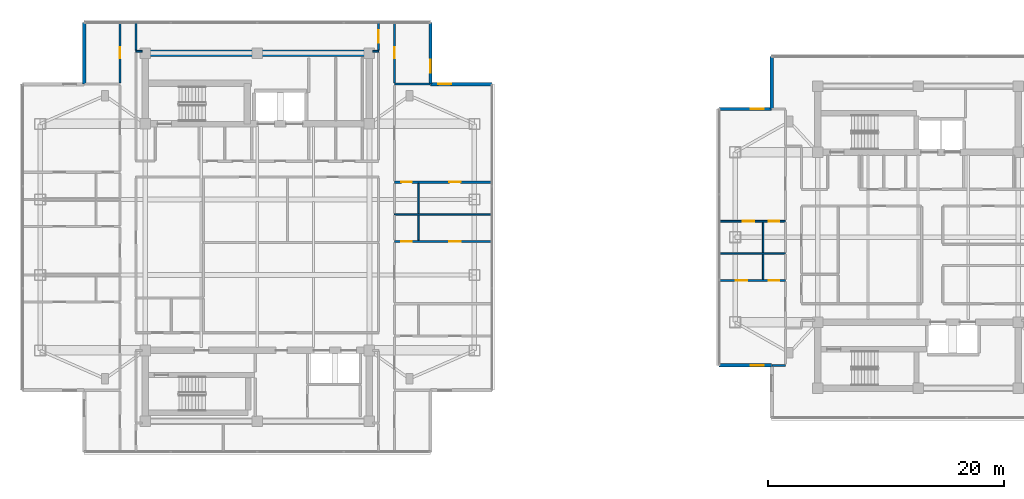
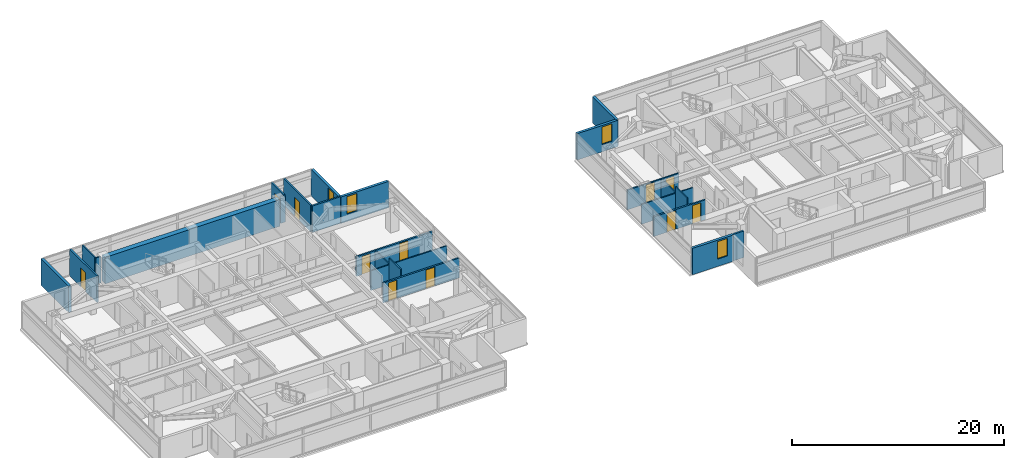
# One storey, part 15 of 24: 25 walls, 11 doors, 4 windows, 15 openings.
"""IFC4 building model written with IfcOpenShell, lengths in metres."""

from ifc_helpers import new_model, si_unit, direction, frame, frame_2d, origin, place, context, subcontext, project, spatial, rectangle, extrude, material, layer, layer_set, type_object, element, fill, save


model = new_model("IFC4")

# Units and contexts
model_context = context("Model", 3, precision=1e-05, world=origin(), true_north=direction((0.0, 1.0)))
body_context = subcontext(model_context, "Body", "Model", "MODEL_VIEW")
ifc_project = project(units=[si_unit("LENGTHUNIT", "METRE"), si_unit("AREAUNIT", "SQUARE_METRE"), si_unit("VOLUMEUNIT", "CUBIC_METRE"), si_unit("PLANEANGLEUNIT", "RADIAN"), si_unit("MASSUNIT", "GRAM", prefix="KILO")], contexts=[model_context])

# Site, building, storey
site_placement = place(None, origin())
site = spatial("IfcSite", under=ifc_project, at=site_placement, CompositionType="ELEMENT")
building_placement = place(site_placement, origin())
building = spatial("IfcBuilding", under=site, at=building_placement, Name="Mirazonda Arch Towers", CompositionType="ELEMENT")
storey_placement = place(building_placement, frame((0.0, 0.0, 190.14990234375)))
storey = spatial("IfcBuildingStorey", under=building, at=storey_placement, Name="L54", CompositionType="ELEMENT", Elevation=190.14990234375)

# Wall
ifc_material_1 = material(Name="Concrete C50/60", Category="concrete")
ifc_layer_1 = layer(ifc_material_1, 0.550048828125, Name="WALL-CORE-550")
ifc_layer_set_1 = layer_set([ifc_layer_1], Name="Concrete C50/60")
wall_type_1 = type_object("IfcWallType", Name="WALL-CORE-550", PredefinedType="SHEAR", material=ifc_layer_set_1)
wall_1_placement = place(storey_placement, frame((11.0, 43.60009765625, 0.0), z_axis=(0.0, 0.0, 1.0), x_axis=(1.0, 0.0, 0.0)))
element("IfcWall", 1, at=wall_1_placement, inside=storey, type_object=wall_type_1, Name="L54 T1N-N Core Shear Wall", PredefinedType="SHEAR", context=body_context, shape_type="SweptSolid", body=[
    extrude(rectangle(XDim=19.0, YDim=0.550048828125, at=frame_2d((9.5, 0.0))), origin(), (0.0, 0.0, 1.0), 3.050048828125),
])

# Wall, opening, window
ifc_material_2 = material(Name="Precast Concrete C40/50", Category="concrete")
ifc_layer_2 = layer(ifc_material_2, 0.280029296875, Name="WALL-EXT-WALL-280")
ifc_layer_set_2 = layer_set([ifc_layer_2], Name="Precast Concrete C40/50")
wall_type_2 = type_object("IfcWallType", Name="WALL-EXT-WALL-280", PredefinedType="SOLIDWALL", material=ifc_layer_set_2)
wall_2_placement = place(storey_placement, frame((35.175048828125, 40.970947265625, 0.0), z_axis=(0.0, 0.0, 1.0), x_axis=(0.0, 1.0, 0.0)))
wall_2 = element("IfcWall", 2, at=wall_2_placement, inside=storey, type_object=wall_type_2, Name="L54 T1 Notched NE Corner Wall WL-L54-T1-CNE", PredefinedType="SOLIDWALL", context=body_context, shape_type="SweptSolid", body=[
    extrude(rectangle(XDim=5.215087890625, YDim=0.280029296875, at=frame_2d((2.607421875, 0.0))), origin(), (0.0, 0.0, 1.0), 3.030029296875),
])
opening_1_placement = place(wall_2_placement, frame((0.949951171875, 0.0, 0.85009765625)))
opening_1 = element("IfcOpeningElement", 3, at=opening_1_placement, cuts=wall_2, Name="Opening WN-108", PredefinedType="OPENING", context=body_context, shape_type="SweptSolid", body=[
    extrude(rectangle(XDim=1.10009765625, YDim=2.0, at=frame_2d((0.550048828125, 1.0))), frame((0.0, 0.14990234375, 0.0), z_axis=(0.0, -1.0, 0.0), x_axis=(1.0, 0.0, 0.0)), (0.0, 0.0, 1.0), 0.300048828125),
])
ifc_material_3 = material(Name="Insulated Low-E Solar Glass", Category="glass")
window_type = type_object("IfcWindowType", Name="WIN-NOTCH-1100x2000", PartitioningType="SINGLE_PANEL", PredefinedType="WINDOW", material=ifc_material_3)
window_1_placement = place(opening_1_placement, origin())
window_1 = element("IfcWindow", 4, at=window_1_placement, inside=storey, type_object=window_type, Name="L54 Punched Facade Window WN-L54-T1-CNE", OverallHeight=2.0, OverallWidth=1.10009765625, PartitioningType="SINGLE_PANEL", PredefinedType="WINDOW", context=body_context, shape_type="SweptSolid", body=[
    extrude(rectangle(XDim=1.10009765625, YDim=2.0, at=frame_2d((0.550048828125, 1.0))), frame((0.0, 0.030029296875, 0.0), z_axis=(0.0, -1.0, 0.0), x_axis=(1.0, 0.0, 0.0)), (0.0, 0.0, 1.0), 0.06005859375),
])
fill(opening_1, window_1)

# Wall
wall_3_placement = place(storey_placement, frame((5.824951171875, 46.18603515625, 0.0), z_axis=(0.0, 0.0, 1.0), x_axis=(0.0, -1.0, 0.0)))
element("IfcWall", 5, at=wall_3_placement, inside=storey, type_object=wall_type_2, Name="L54 T1 Corner Notch Return Wall WL-L54-T1-CNW2", PredefinedType="SOLIDWALL", context=body_context, shape_type="SweptSolid", body=[
    extrude(rectangle(XDim=5.215087890625, YDim=0.280029296875, at=frame_2d((2.607421875, 0.0))), origin(), (0.0, 0.0, 1.0), 3.030029296875),
])

# Wall, opening, window
wall_4_placement = place(storey_placement, frame((40.389892578125, 40.970947265625, 0.0), z_axis=(0.0, 0.0, 1.0), x_axis=(-1.0, 0.0, 0.0)))
wall_4 = element("IfcWall", 6, at=wall_4_placement, inside=storey, type_object=wall_type_2, Name="L54 T1 Corner Notch Return Wall WL-L54-T1-CNE2", PredefinedType="SOLIDWALL", context=body_context, shape_type="SweptSolid", body=[
    extrude(rectangle(XDim=5.21484375, YDim=0.280029296875, at=frame_2d((2.607421875, 0.0))), origin(), (0.0, 0.0, 1.0), 3.030029296875),
])
opening_2_placement = place(wall_4_placement, frame((3.465087890625, 0.0, 0.85009765625)))
opening_2 = element("IfcOpeningElement", 7, at=opening_2_placement, cuts=wall_4, Name="Opening WN-108", PredefinedType="OPENING", context=body_context, shape_type="SweptSolid", body=[
    extrude(rectangle(XDim=1.10009765625, YDim=2.0, at=frame_2d((0.550048828125, 1.0))), frame((0.0, 0.14990234375, 0.0), z_axis=(0.0, -1.0, 0.0), x_axis=(1.0, 0.0, 0.0)), (0.0, 0.0, 1.0), 0.300048828125),
])
window_2_placement = place(opening_2_placement, origin())
window_2 = element("IfcWindow", 8, at=window_2_placement, inside=storey, type_object=window_type, Name="L54 Punched Facade Window WN-L54-T1-CNE2", OverallHeight=2.0, OverallWidth=1.10009765625, PartitioningType="SINGLE_PANEL", PredefinedType="WINDOW", context=body_context, shape_type="SweptSolid", body=[
    extrude(rectangle(XDim=1.10009765625, YDim=2.0, at=frame_2d((0.550048828125, 1.0))), frame((0.0, 0.030029296875, 0.0), z_axis=(0.0, -1.0, 0.0), x_axis=(1.0, 0.0, 0.0)), (0.0, 0.0, 1.0), 0.06005859375),
])
fill(opening_2, window_2)

wall_5_placement = place(storey_placement, frame((59.646484375, 17.134521484375, 0.0), z_axis=(0.0, 0.0, 1.0), x_axis=(1.0, 0.0, 0.0)))
wall_5 = element("IfcWall", 9, at=wall_5_placement, inside=storey, type_object=wall_type_2, Name="L54 T2 Corner Notch Return Wall WL-L54-T2-CSW2", PredefinedType="SOLIDWALL", context=body_context, shape_type="SweptSolid", body=[
    extrude(rectangle(XDim=4.439697265625, YDim=0.280029296875, at=frame_2d((2.2197265625, 0.0))), origin(), (0.0, 0.0, 1.0), 3.030029296875),
])
opening_3_placement = place(wall_5_placement, frame((2.68994140625, 0.0, 0.85009765625)))
opening_3 = element("IfcOpeningElement", 10, at=opening_3_placement, cuts=wall_5, Name="Opening WN-108", PredefinedType="OPENING", context=body_context, shape_type="SweptSolid", body=[
    extrude(rectangle(XDim=1.10009765625, YDim=2.0, at=frame_2d((0.550048828125, 1.0))), frame((0.0, 0.14990234375, 0.0), z_axis=(0.0, -1.0, 0.0), x_axis=(1.0, 0.0, 0.0)), (0.0, 0.0, 1.0), 0.300048828125),
])
window_3_placement = place(opening_3_placement, origin())
window_3 = element("IfcWindow", 11, at=window_3_placement, inside=storey, type_object=window_type, Name="L54 Punched Facade Window WN-L54-T2-CSW2", OverallHeight=2.0, OverallWidth=1.10009765625, PartitioningType="SINGLE_PANEL", PredefinedType="WINDOW", context=body_context, shape_type="SweptSolid", body=[
    extrude(rectangle(XDim=1.10009765625, YDim=2.0, at=frame_2d((0.550048828125, 1.0))), frame((0.0, 0.030029296875, 0.0), z_axis=(0.0, -1.0, 0.0), x_axis=(1.0, 0.0, 0.0)), (0.0, 0.0, 1.0), 0.06005859375),
])
fill(opening_3, window_3)

wall_6_placement = place(storey_placement, frame((64.086181640625, 38.865478515625, 0.0), z_axis=(0.0, 0.0, 1.0), x_axis=(-1.0, 0.0, 0.0)))
wall_6 = element("IfcWall", 12, at=wall_6_placement, inside=storey, type_object=wall_type_2, Name="L54 T2 Corner Notch Return Wall WL-L54-T2-CNW1", PredefinedType="SOLIDWALL", context=body_context, shape_type="SweptSolid", body=[
    extrude(rectangle(XDim=4.439697265625, YDim=0.280029296875, at=frame_2d((2.2197265625, 0.0))), origin(), (0.0, 0.0, 1.0), 3.030029296875),
])
opening_4_placement = place(wall_6_placement, frame((0.64990234375, 0.0, 0.85009765625)))
opening_4 = element("IfcOpeningElement", 13, at=opening_4_placement, cuts=wall_6, Name="Opening WN-108", PredefinedType="OPENING", context=body_context, shape_type="SweptSolid", body=[
    extrude(rectangle(XDim=1.10009765625, YDim=2.0, at=frame_2d((0.550048828125, 1.0))), frame((0.0, 0.14990234375, 0.0), z_axis=(0.0, -1.0, 0.0), x_axis=(1.0, 0.0, 0.0)), (0.0, 0.0, 1.0), 0.300048828125),
])
window_4_placement = place(opening_4_placement, origin())
window_4 = element("IfcWindow", 14, at=window_4_placement, inside=storey, type_object=window_type, Name="L54 Punched Facade Window WN-L54-T2-CNW1", OverallHeight=2.0, OverallWidth=1.10009765625, PartitioningType="SINGLE_PANEL", PredefinedType="WINDOW", context=body_context, shape_type="SweptSolid", body=[
    extrude(rectangle(XDim=1.10009765625, YDim=2.0, at=frame_2d((0.550048828125, 1.0))), frame((0.0, 0.030029296875, 0.0), z_axis=(0.0, -1.0, 0.0), x_axis=(1.0, 0.0, 0.0)), (0.0, 0.0, 1.0), 0.06005859375),
])
fill(opening_4, window_4)

# Wall
wall_7_placement = place(storey_placement, frame((64.086181640625, 43.30517578125, 0.0), z_axis=(0.0, 0.0, 1.0), x_axis=(0.0, -1.0, 0.0)))
element("IfcWall", 15, at=wall_7_placement, inside=storey, type_object=wall_type_2, Name="L54 T2 Corner Notch Return Wall WL-L54-T2-CNW2", PredefinedType="SOLIDWALL", context=body_context, shape_type="SweptSolid", body=[
    extrude(rectangle(XDim=4.439697265625, YDim=0.280029296875, at=frame_2d((2.2197265625, 0.0))), origin(), (0.0, 0.0, 1.0), 3.030029296875),
])

# Wall, openings, doors
ifc_material_4 = material(Name="Fire-Rated Gypsum Stud Partition")
ifc_layer_3 = layer(ifc_material_4, 0.14990234375, Name="WALL-PART-CORR-150")
ifc_layer_set_3 = layer_set([ifc_layer_3], Name="Fire-Rated Gypsum Stud Partition")
wall_type_3 = type_object("IfcWallType", Name="WALL-PART-CORR-150", PredefinedType="PARTITIONING", material=ifc_layer_set_3)
wall_8_placement = place(storey_placement, frame((59.64599609375, 29.35205078125, 0.0), z_axis=(0.0, 0.0, 1.0), x_axis=(1.0, 0.0, 0.0)))
wall_8 = element("IfcWall", 16, at=wall_8_placement, inside=storey, type_object=wall_type_3, Name="L54 Interior Partition 036", PredefinedType="PARTITIONING", context=body_context, shape_type="SweptSolid", body=[
    extrude(rectangle(XDim=5.60400390625, YDim=0.14990234375, at=frame_2d((2.802001953125, 0.0))), origin(), (0.0, 0.0, 1.0), 2.26904296875),
])
opening_5_placement = place(wall_8_placement, frame((2.007080078125, 0.0, 0.0)))
opening_5 = element("IfcOpeningElement", 17, at=opening_5_placement, cuts=wall_8, Name="Opening DR-104", PredefinedType="OPENING", context=body_context, shape_type="SweptSolid", body=[
    extrude(rectangle(XDim=0.949951171875, YDim=2.14990234375, at=frame_2d((0.47509765625, 1.074951171875))), frame((0.0, 0.0849609375, 0.0), z_axis=(0.0, -1.0, 0.0), x_axis=(1.0, 0.0, 0.0)), (0.0, 0.0, 1.0), 0.169921875),
])
opening_6_placement = place(wall_8_placement, frame((4.194091796875, 0.0, 0.0)))
opening_6 = element("IfcOpeningElement", 18, at=opening_6_placement, cuts=wall_8, Name="Opening DR-120", PredefinedType="OPENING", context=body_context, shape_type="SweptSolid", body=[
    extrude(rectangle(XDim=0.89990234375, YDim=2.10009765625, at=frame_2d((0.449951171875, 1.050048828125))), frame((0.0, 0.0849609375, 0.0), z_axis=(0.0, -1.0, 0.0), x_axis=(1.0, 0.0, 0.0)), (0.0, 0.0, 1.0), 0.169921875),
])
ifc_material_5 = material(Name="Architectural Brushed Steel S355", Category="steel")
door_type_1 = type_object("IfcDoorType", Name="DOOR-ROOM-950", OperationType="NOTDEFINED", PredefinedType="DOOR", material=ifc_material_5)
door_1_placement = place(opening_5_placement, origin())
door_1 = element("IfcDoor", 19, at=door_1_placement, inside=storey, type_object=door_type_1, Name="L54 Studio 2 Galley Kitchen Door", OperationType="SINGLE_SWING_RIGHT", OverallHeight=2.14990234375, OverallWidth=0.949951171875, PredefinedType="DOOR", context=body_context, shape_type="SweptSolid", body=[
    extrude(rectangle(XDim=0.949951171875, YDim=2.14990234375, at=frame_2d((0.47509765625, 1.074951171875))), frame((0.0, 0.02490234375, 0.0), z_axis=(0.0, -1.0, 0.0), x_axis=(1.0, 0.0, 0.0)), (0.0, 0.0, 1.0), 0.050048828125),
])
fill(opening_5, door_1)
door_type_2 = type_object("IfcDoorType", Name="DOOR-WC-900", OperationType="NOTDEFINED", PredefinedType="DOOR", material=ifc_material_5)
door_2_placement = place(opening_6_placement, origin())
door_2 = element("IfcDoor", 20, at=door_2_placement, inside=storey, type_object=door_type_2, Name="L54 Studio 2 Bathroom Door", OperationType="SINGLE_SWING_LEFT", OverallHeight=2.10009765625, OverallWidth=0.89990234375, PredefinedType="DOOR", context=body_context, shape_type="SweptSolid", body=[
    extrude(rectangle(XDim=0.89990234375, YDim=2.10009765625, at=frame_2d((0.449951171875, 1.050048828125))), frame((0.0, 0.02490234375, 0.0), z_axis=(0.0, -1.0, 0.0), x_axis=(1.0, 0.0, 0.0)), (0.0, 0.0, 1.0), 0.050048828125),
])
fill(opening_6, door_2)

# Walls
for number, where, z_axis, x_axis, name in (
    (21, (10.219970703125, 43.75, 0.0), (0.0, 0.0, 1.0), (1.0, 0.0, 0.0), "L54 Interior Partition 058"),
    (22, (30.27001953125, 43.75, 0.0), (0.0, 0.0, 1.0), (1.0, 0.0, 0.0), "L54 Interior Partition 059"),
):
    element("IfcWall", number, at=place(storey_placement, frame(where, z_axis=z_axis, x_axis=x_axis)), inside=storey, type_object=wall_type_3, Name=name, PredefinedType="PARTITIONING", context=body_context, shape_type="SweptSolid", body=[
        extrude(rectangle(XDim=0.510009765625, YDim=0.14990234375, at=frame_2d((0.2548828125, 0.0))), origin(), (0.0, 0.0, 1.0), 3.050048828125),
    ])
wall_9_placement = place(storey_placement, frame((10.219970703125, 43.8349609375, 0.0), z_axis=(0.0, 0.0, 1.0), x_axis=(0.0, 1.0, 0.0)))
element("IfcWall", 23, at=wall_9_placement, inside=storey, type_object=wall_type_3, Name="L54 Interior Partition 076", PredefinedType="PARTITIONING", context=body_context, shape_type="SweptSolid", body=[
    extrude(rectangle(XDim=2.35107421875, YDim=0.14990234375, at=frame_2d((1.175537109375, 0.0))), origin(), (0.0, 0.0, 1.0), 3.050048828125),
])

# Wall, opening, door
wall_10_placement = place(storey_placement, frame((30.780029296875, 43.8349609375, 0.0), z_axis=(0.0, 0.0, 1.0), x_axis=(0.0, 1.0, 0.0)))
wall_10 = element("IfcWall", 24, at=wall_10_placement, inside=storey, type_object=wall_type_3, Name="L54 Interior Partition 107", PredefinedType="PARTITIONING", context=body_context, shape_type="SweptSolid", body=[
    extrude(rectangle(XDim=2.35107421875, YDim=0.14990234375, at=frame_2d((1.175537109375, 0.0))), origin(), (0.0, 0.0, 1.0), 3.050048828125),
])
opening_7_placement = place(wall_10_placement, frame((0.650390625, 0.0, 0.0)))
opening_7 = element("IfcOpeningElement", 25, at=opening_7_placement, cuts=wall_10, Name="Opening DR-121", PredefinedType="OPENING", context=body_context, shape_type="SweptSolid", body=[
    extrude(rectangle(XDim=1.050048828125, YDim=2.199951171875, at=frame_2d((0.52490234375, 1.10009765625))), frame((0.0, 0.0849609375, 0.0), z_axis=(0.0, -1.0, 0.0), x_axis=(1.0, 0.0, 0.0)), (0.0, 0.0, 1.0), 0.169921875),
])
door_type_3 = type_object("IfcDoorType", Name="DOOR-SUITE-FD60-1050", OperationType="NOTDEFINED", PredefinedType="DOOR", material=ifc_material_5)
door_3_placement = place(opening_7_placement, origin())
door_3 = element("IfcDoor", 26, at=door_3_placement, inside=storey, type_object=door_type_3, Name="L54 North Reading Salon Suite Door", OperationType="SINGLE_SWING_RIGHT", OverallHeight=2.199951171875, OverallWidth=1.050048828125, PredefinedType="DOOR", context=body_context, shape_type="SweptSolid", body=[
    extrude(rectangle(XDim=1.050048828125, YDim=2.199951171875, at=frame_2d((0.52490234375, 1.10009765625))), frame((0.0, 0.02490234375, 0.0), z_axis=(0.0, -1.0, 0.0), x_axis=(1.0, 0.0, 0.0)), (0.0, 0.0, 1.0), 0.050048828125),
])
fill(opening_7, door_3)

# Wall
ifc_material_6 = material(Name="Fire-Rated Gypsum Twin-Stud Assembly")
ifc_layer_4 = layer(ifc_material_6, 0.179931640625, Name="WALL-PART-DEMISE-180")
ifc_layer_set_4 = layer_set([ifc_layer_4], Name="Fire-Rated Gypsum Twin-Stud Assembly")
wall_type_4 = type_object("IfcWallType", Name="WALL-PART-DEMISE-180", PredefinedType="PARTITIONING", material=ifc_layer_set_4)
wall_11_placement = place(storey_placement, frame((64.106201171875, 17.135009765625, 0.0), z_axis=(0.0, 0.0, 1.0), x_axis=(1.0, 0.0, 0.0)))
element("IfcWall", 27, at=wall_11_placement, inside=storey, type_object=wall_type_4, Name="L54 Interior Partition 008", PredefinedType="PARTITIONING", context=body_context, shape_type="SweptSolid", body=[
    extrude(rectangle(XDim=1.143798828125, YDim=0.179931640625, at=frame_2d((0.57177734375, 0.0))), origin(), (0.0, 0.0, 1.0), 3.050048828125),
])

# Wall, openings, doors
wall_12_placement = place(storey_placement, frame((59.64599609375, 24.33203125, 0.0), z_axis=(0.0, 0.0, 1.0), x_axis=(1.0, 0.0, 0.0)))
wall_12 = element("IfcWall", 28, at=wall_12_placement, inside=storey, type_object=wall_type_4, Name="L54 Interior Partition 025", PredefinedType="PARTITIONING", context=body_context, shape_type="SweptSolid", body=[
    extrude(rectangle(XDim=5.60400390625, YDim=0.179931640625, at=frame_2d((2.802001953125, 0.0))), origin(), (0.0, 0.0, 1.0), 2.26904296875),
])
opening_8_placement = place(wall_12_placement, frame((1.406982421875, 0.0, 0.0)))
opening_8 = element("IfcOpeningElement", 29, at=opening_8_placement, cuts=wall_12, Name="Opening DR-104", PredefinedType="OPENING", context=body_context, shape_type="SweptSolid", body=[
    extrude(rectangle(XDim=0.949951171875, YDim=2.14990234375, at=frame_2d((0.47509765625, 1.074951171875))), frame((0.0, 0.099853515625, 0.0), z_axis=(0.0, -1.0, 0.0), x_axis=(1.0, 0.0, 0.0)), (0.0, 0.0, 1.0), 0.199951171875),
])
opening_9_placement = place(wall_12_placement, frame((4.194091796875, 0.0, 0.0)))
opening_9 = element("IfcOpeningElement", 30, at=opening_9_placement, cuts=wall_12, Name="Opening DR-120", PredefinedType="OPENING", context=body_context, shape_type="SweptSolid", body=[
    extrude(rectangle(XDim=0.89990234375, YDim=2.10009765625, at=frame_2d((0.449951171875, 1.050048828125))), frame((0.0, 0.099853515625, 0.0), z_axis=(0.0, -1.0, 0.0), x_axis=(1.0, 0.0, 0.0)), (0.0, 0.0, 1.0), 0.199951171875),
])
door_4_placement = place(opening_8_placement, origin())
door_4 = element("IfcDoor", 31, at=door_4_placement, inside=storey, type_object=door_type_1, Name="L54 Studio 1 Galley Kitchen Door", OperationType="SINGLE_SWING_LEFT", OverallHeight=2.14990234375, OverallWidth=0.949951171875, PredefinedType="DOOR", context=body_context, shape_type="SweptSolid", body=[
    extrude(rectangle(XDim=0.949951171875, YDim=2.14990234375, at=frame_2d((0.47509765625, 1.074951171875))), frame((0.0, 0.02490234375, 0.0), z_axis=(0.0, -1.0, 0.0), x_axis=(1.0, 0.0, 0.0)), (0.0, 0.0, 1.0), 0.050048828125),
])
fill(opening_8, door_4)
door_5_placement = place(opening_9_placement, origin())
door_5 = element("IfcDoor", 32, at=door_5_placement, inside=storey, type_object=door_type_2, Name="L54 Studio 1 Bathroom Door", OperationType="SINGLE_SWING_RIGHT", OverallHeight=2.10009765625, OverallWidth=0.89990234375, PredefinedType="DOOR", context=body_context, shape_type="SweptSolid", body=[
    extrude(rectangle(XDim=0.89990234375, YDim=2.10009765625, at=frame_2d((0.449951171875, 1.050048828125))), frame((0.0, 0.02490234375, 0.0), z_axis=(0.0, -1.0, 0.0), x_axis=(1.0, 0.0, 0.0)), (0.0, 0.0, 1.0), 0.050048828125),
])
fill(opening_9, door_5)

wall_13_placement = place(storey_placement, frame((32.1201171875, 27.64111328125, 0.0), z_axis=(0.0, 0.0, 1.0), x_axis=(1.0, 0.0, 0.0)))
wall_13 = element("IfcWall", 33, at=wall_13_placement, inside=storey, type_object=wall_type_4, Name="L54 Interior Partition 033", PredefinedType="PARTITIONING", context=body_context, shape_type="SweptSolid", body=[
    extrude(rectangle(XDim=8.269775390625, YDim=0.179931640625, at=frame_2d((4.134765625, 0.0))), origin(), (0.0, 0.0, 1.0), 2.26904296875),
])
opening_10_placement = place(wall_13_placement, frame((4.659912109375, 0.0, 0.0)))
opening_10 = element("IfcOpeningElement", 34, at=opening_10_placement, cuts=wall_13, Name="Opening DR-104", PredefinedType="OPENING", context=body_context, shape_type="SweptSolid", body=[
    extrude(rectangle(XDim=0.949951171875, YDim=2.14990234375, at=frame_2d((0.47509765625, 1.074951171875))), frame((0.0, 0.099853515625, 0.0), z_axis=(0.0, -1.0, 0.0), x_axis=(1.0, 0.0, 0.0)), (0.0, 0.0, 1.0), 0.199951171875),
])
opening_11_placement = place(wall_13_placement, frame((0.590087890625, 0.0, 0.0)))
opening_11 = element("IfcOpeningElement", 35, at=opening_11_placement, cuts=wall_13, Name="Opening DR-120", PredefinedType="OPENING", context=body_context, shape_type="SweptSolid", body=[
    extrude(rectangle(XDim=0.89990234375, YDim=2.10009765625, at=frame_2d((0.449951171875, 1.050048828125))), frame((0.0, 0.099853515625, 0.0), z_axis=(0.0, -1.0, 0.0), x_axis=(1.0, 0.0, 0.0)), (0.0, 0.0, 1.0), 0.199951171875),
])
door_6_placement = place(opening_10_placement, origin())
door_6 = element("IfcDoor", 36, at=door_6_placement, inside=storey, type_object=door_type_1, Name="L54 Guestroom Study 2 Door", OperationType="SINGLE_SWING_RIGHT", OverallHeight=2.14990234375, OverallWidth=0.949951171875, PredefinedType="DOOR", context=body_context, shape_type="SweptSolid", body=[
    extrude(rectangle(XDim=0.949951171875, YDim=2.14990234375, at=frame_2d((0.47509765625, 1.074951171875))), frame((0.0, 0.02490234375, 0.0), z_axis=(0.0, -1.0, 0.0), x_axis=(1.0, 0.0, 0.0)), (0.0, 0.0, 1.0), 0.050048828125),
])
fill(opening_10, door_6)
door_7_placement = place(opening_11_placement, origin())
door_7 = element("IfcDoor", 37, at=door_7_placement, inside=storey, type_object=door_type_2, Name="L54 En-Suite Bathroom 2 Door", OperationType="SINGLE_SWING_LEFT", OverallHeight=2.10009765625, OverallWidth=0.89990234375, PredefinedType="DOOR", context=body_context, shape_type="SweptSolid", body=[
    extrude(rectangle(XDim=0.89990234375, YDim=2.10009765625, at=frame_2d((0.449951171875, 1.050048828125))), frame((0.0, 0.02490234375, 0.0), z_axis=(0.0, -1.0, 0.0), x_axis=(1.0, 0.0, 0.0)), (0.0, 0.0, 1.0), 0.050048828125),
])
fill(opening_11, door_7)

wall_14_placement = place(storey_placement, frame((32.1201171875, 32.660888671875, 0.0), z_axis=(0.0, 0.0, 1.0), x_axis=(1.0, 0.0, 0.0)))
wall_14 = element("IfcWall", 38, at=wall_14_placement, inside=storey, type_object=wall_type_4, Name="L54 Interior Partition 044", PredefinedType="PARTITIONING", context=body_context, shape_type="SweptSolid", body=[
    extrude(rectangle(XDim=8.269775390625, YDim=0.179931640625, at=frame_2d((4.134765625, 0.0))), origin(), (0.0, 0.0, 1.0), 2.26904296875),
])
opening_12_placement = place(wall_14_placement, frame((4.659912109375, 0.0, 0.0)))
opening_12 = element("IfcOpeningElement", 39, at=opening_12_placement, cuts=wall_14, Name="Opening DR-104", PredefinedType="OPENING", context=body_context, shape_type="SweptSolid", body=[
    extrude(rectangle(XDim=0.949951171875, YDim=2.14990234375, at=frame_2d((0.47509765625, 1.074951171875))), frame((0.0, 0.099853515625, 0.0), z_axis=(0.0, -1.0, 0.0), x_axis=(1.0, 0.0, 0.0)), (0.0, 0.0, 1.0), 0.199951171875),
])
opening_13_placement = place(wall_14_placement, frame((0.590087890625, 0.0, 0.0)))
opening_13 = element("IfcOpeningElement", 40, at=opening_13_placement, cuts=wall_14, Name="Opening DR-120", PredefinedType="OPENING", context=body_context, shape_type="SweptSolid", body=[
    extrude(rectangle(XDim=0.89990234375, YDim=2.10009765625, at=frame_2d((0.449951171875, 1.050048828125))), frame((0.0, 0.099853515625, 0.0), z_axis=(0.0, -1.0, 0.0), x_axis=(1.0, 0.0, 0.0)), (0.0, 0.0, 1.0), 0.199951171875),
])
door_8_placement = place(opening_12_placement, origin())
door_8 = element("IfcDoor", 41, at=door_8_placement, inside=storey, type_object=door_type_1, Name="L54 Guestroom Study 3 Door", OperationType="SINGLE_SWING_LEFT", OverallHeight=2.14990234375, OverallWidth=0.949951171875, PredefinedType="DOOR", context=body_context, shape_type="SweptSolid", body=[
    extrude(rectangle(XDim=0.949951171875, YDim=2.14990234375, at=frame_2d((0.47509765625, 1.074951171875))), frame((0.0, 0.02490234375, 0.0), z_axis=(0.0, -1.0, 0.0), x_axis=(1.0, 0.0, 0.0)), (0.0, 0.0, 1.0), 0.050048828125),
])
fill(opening_12, door_8)
door_9_placement = place(opening_13_placement, origin())
door_9 = element("IfcDoor", 42, at=door_9_placement, inside=storey, type_object=door_type_2, Name="L54 En-Suite Bathroom 3 Door", OperationType="SINGLE_SWING_RIGHT", OverallHeight=2.10009765625, OverallWidth=0.89990234375, PredefinedType="DOOR", context=body_context, shape_type="SweptSolid", body=[
    extrude(rectangle(XDim=0.89990234375, YDim=2.10009765625, at=frame_2d((0.449951171875, 1.050048828125))), frame((0.0, 0.02490234375, 0.0), z_axis=(0.0, -1.0, 0.0), x_axis=(1.0, 0.0, 0.0)), (0.0, 0.0, 1.0), 0.050048828125),
])
fill(opening_13, door_9)

# Wall
wall_15_placement = place(storey_placement, frame((32.1201171875, 40.970947265625, 0.0), z_axis=(0.0, 0.0, 1.0), x_axis=(1.0, 0.0, 0.0)))
element("IfcWall", 43, at=wall_15_placement, inside=storey, type_object=wall_type_4, Name="L54 Interior Partition 057", PredefinedType="PARTITIONING", context=body_context, shape_type="SweptSolid", body=[
    extrude(rectangle(XDim=3.034912109375, YDim=0.179931640625, at=frame_2d((1.517578125, 0.0))), origin(), (0.0, 0.0, 1.0), 3.050048828125),
])

# Wall, opening, door
wall_16_placement = place(storey_placement, frame((8.8798828125, 41.071044921875, 0.0), z_axis=(0.0, 0.0, 1.0), x_axis=(0.0, 1.0, 0.0)))
wall_16 = element("IfcWall", 44, at=wall_16_placement, inside=storey, type_object=wall_type_4, Name="L54 Interior Partition 070", PredefinedType="PARTITIONING", context=body_context, shape_type="SweptSolid", body=[
    extrude(rectangle(XDim=5.114990234375, YDim=0.179931640625, at=frame_2d((2.5576171875, 0.0))), origin(), (0.0, 0.0, 1.0), 3.050048828125),
])
opening_14_placement = place(wall_16_placement, frame((2.08251953125, 0.0, 0.0)))
opening_14 = element("IfcOpeningElement", 45, at=opening_14_placement, cuts=wall_16, Name="Opening DR-104", PredefinedType="OPENING", context=body_context, shape_type="SweptSolid", body=[
    extrude(rectangle(XDim=0.949951171875, YDim=2.14990234375, at=frame_2d((0.47509765625, 1.074951171875))), frame((0.0, 0.099853515625, 0.0), z_axis=(0.0, -1.0, 0.0), x_axis=(1.0, 0.0, 0.0)), (0.0, 0.0, 1.0), 0.199951171875),
])
door_10_placement = place(opening_14_placement, origin())
door_10 = element("IfcDoor", 46, at=door_10_placement, inside=storey, type_object=door_type_1, Name="L54 North Reading Salon Alcove West Door", OperationType="SINGLE_SWING_LEFT", OverallHeight=2.14990234375, OverallWidth=0.949951171875, PredefinedType="DOOR", context=body_context, shape_type="SweptSolid", body=[
    extrude(rectangle(XDim=0.949951171875, YDim=2.14990234375, at=frame_2d((0.47509765625, 1.074951171875))), frame((0.0, 0.02490234375, 0.0), z_axis=(0.0, -1.0, 0.0), x_axis=(1.0, 0.0, 0.0)), (0.0, 0.0, 1.0), 0.050048828125),
])
fill(opening_14, door_10)

wall_17_placement = place(storey_placement, frame((32.1201171875, 41.071044921875, 0.0), z_axis=(0.0, 0.0, 1.0), x_axis=(0.0, 1.0, 0.0)))
wall_17 = element("IfcWall", 47, at=wall_17_placement, inside=storey, type_object=wall_type_4, Name="L54 Interior Partition 115", PredefinedType="PARTITIONING", context=body_context, shape_type="SweptSolid", body=[
    extrude(rectangle(XDim=5.114990234375, YDim=0.179931640625, at=frame_2d((2.5576171875, 0.0))), origin(), (0.0, 0.0, 1.0), 3.050048828125),
])
opening_15_placement = place(wall_17_placement, frame((2.08251953125, 0.0, 0.0)))
opening_15 = element("IfcOpeningElement", 48, at=opening_15_placement, cuts=wall_17, Name="Opening DR-104", PredefinedType="OPENING", context=body_context, shape_type="SweptSolid", body=[
    extrude(rectangle(XDim=0.949951171875, YDim=2.14990234375, at=frame_2d((0.47509765625, 1.074951171875))), frame((0.0, 0.099853515625, 0.0), z_axis=(0.0, -1.0, 0.0), x_axis=(1.0, 0.0, 0.0)), (0.0, 0.0, 1.0), 0.199951171875),
])
door_11_placement = place(opening_15_placement, origin())
door_11 = element("IfcDoor", 49, at=door_11_placement, inside=storey, type_object=door_type_1, Name="L54 North Reading Salon Alcove East Door", OperationType="SINGLE_SWING_RIGHT", OverallHeight=2.14990234375, OverallWidth=0.949951171875, PredefinedType="DOOR", context=body_context, shape_type="SweptSolid", body=[
    extrude(rectangle(XDim=0.949951171875, YDim=2.14990234375, at=frame_2d((0.47509765625, 1.074951171875))), frame((0.0, 0.02490234375, 0.0), z_axis=(0.0, -1.0, 0.0), x_axis=(1.0, 0.0, 0.0)), (0.0, 0.0, 1.0), 0.050048828125),
])
fill(opening_15, door_11)

# Walls
ifc_material_7 = material(Name="Acoustic Fire-Rated Gypsum Partition")
ifc_layer_5 = layer(ifc_material_7, 0.125, Name="WALL-PART-UNIT-125")
ifc_layer_set_5 = layer_set([ifc_layer_5], Name="Acoustic Fire-Rated Gypsum Partition")
wall_type_5 = type_object("IfcWallType", Name="WALL-PART-UNIT-125", PredefinedType="PARTITIONING", material=ifc_layer_set_5)
wall_18_placement = place(storey_placement, frame((59.64599609375, 26.632080078125, 0.0), z_axis=(0.0, 0.0, 1.0), x_axis=(1.0, 0.0, 0.0)))
element("IfcWall", 50, at=wall_18_placement, inside=storey, type_object=wall_type_5, Name="L54 Interior Partition 030", PredefinedType="PARTITIONING", context=body_context, shape_type="SweptSolid", body=[
    extrude(rectangle(XDim=5.60400390625, YDim=0.125, at=frame_2d((2.802001953125, 0.0))), origin(), (0.0, 0.0, 1.0), 2.26904296875),
])
wall_19_placement = place(storey_placement, frame((32.1201171875, 29.94091796875, 0.0), z_axis=(0.0, 0.0, 1.0), x_axis=(1.0, 0.0, 0.0)))
element("IfcWall", 51, at=wall_19_placement, inside=storey, type_object=wall_type_5, Name="L54 Interior Partition 037", PredefinedType="PARTITIONING", context=body_context, shape_type="SweptSolid", body=[
    extrude(rectangle(XDim=8.269775390625, YDim=0.125, at=frame_2d((4.134765625, 0.0))), origin(), (0.0, 0.0, 1.0), 2.26904296875),
])
wall_20_placement = place(storey_placement, frame((34.159912109375, 27.740966796875, 0.0), z_axis=(0.0, 0.0, 1.0), x_axis=(0.0, 1.0, 0.0)))
element("IfcWall", 52, at=wall_20_placement, inside=storey, type_object=wall_type_5, Name="L54 Interior Partition 117", PredefinedType="PARTITIONING", context=body_context, shape_type="SweptSolid", body=[
    extrude(rectangle(XDim=2.12744140625, YDim=0.125, at=frame_2d((1.063720703125, 0.0))), origin(), (0.0, 0.0, 1.0), 3.050048828125),
])
wall_21_placement = place(storey_placement, frame((34.159912109375, 30.013427734375, 0.0), z_axis=(0.0, 0.0, 1.0), x_axis=(0.0, 1.0, 0.0)))
element("IfcWall", 53, at=wall_21_placement, inside=storey, type_object=wall_type_5, Name="L54 Interior Partition 118", PredefinedType="PARTITIONING", context=body_context, shape_type="SweptSolid", body=[
    extrude(rectangle(XDim=2.547607421875, YDim=0.125, at=frame_2d((1.27392578125, 0.0))), origin(), (0.0, 0.0, 1.0), 2.34619140625),
])
wall_22_placement = place(storey_placement, frame((63.3701171875, 24.431884765625, 0.0), z_axis=(0.0, 0.0, 1.0), x_axis=(0.0, 1.0, 0.0)))
element("IfcWall", 54, at=wall_22_placement, inside=storey, type_object=wall_type_5, Name="L54 Interior Partition 119", PredefinedType="PARTITIONING", context=body_context, shape_type="SweptSolid", body=[
    extrude(rectangle(XDim=2.127685546875, YDim=0.125, at=frame_2d((1.06396484375, 0.0))), origin(), (0.0, 0.0, 1.0), 3.050048828125),
])
wall_23_placement = place(storey_placement, frame((63.3701171875, 26.70458984375, 0.0), z_axis=(0.0, 0.0, 1.0), x_axis=(0.0, 1.0, 0.0)))
element("IfcWall", 55, at=wall_23_placement, inside=storey, type_object=wall_type_5, Name="L54 Interior Partition 120", PredefinedType="PARTITIONING", context=body_context, shape_type="SweptSolid", body=[
    extrude(rectangle(XDim=2.5625, YDim=0.125, at=frame_2d((1.28125, 0.0))), origin(), (0.0, 0.0, 1.0), 2.34619140625),
])

save(model, "model.ifc")
